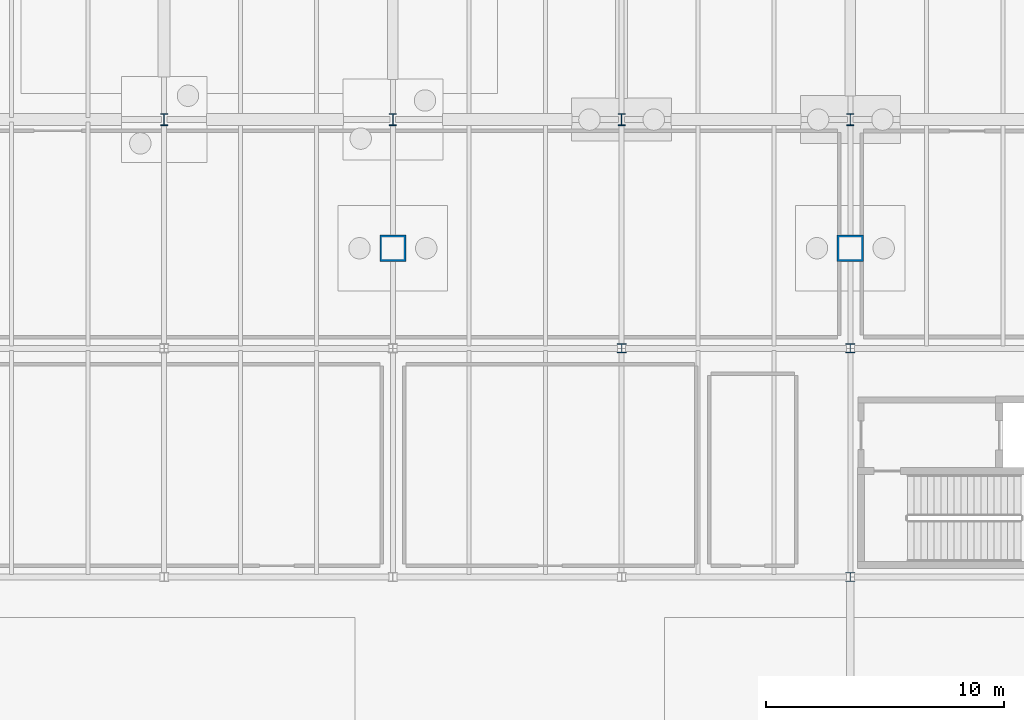
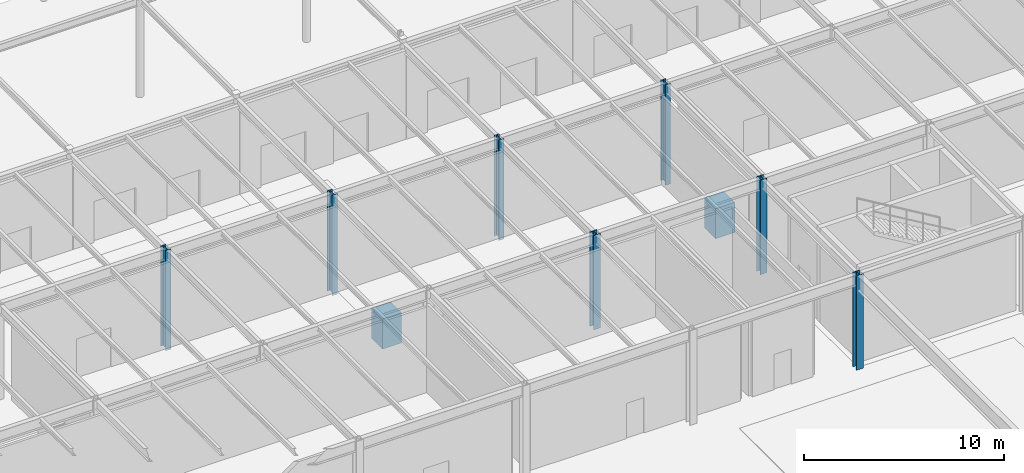
# One storey, part 18 of 142: 9 columns.
"""IFC4 building model written with IfcOpenShell, lengths in metres."""

from ifc_helpers import new_model, si_unit, direction, frame, origin, origin_2d, place, context, subcontext, project, spatial, rectangle, i_section, extrude, material, material_profile, profile_set, type_object, element, save


model = new_model("IFC4")

# Units and contexts
model_context = context("Model", 3, precision=1e-05, world=origin(), true_north=direction((0.0, 1.0)))
body_context = subcontext(model_context, "Body", "Model", "MODEL_VIEW")
ifc_project = project(units=[si_unit("LENGTHUNIT", "METRE"), si_unit("AREAUNIT", "SQUARE_METRE"), si_unit("VOLUMEUNIT", "CUBIC_METRE"), si_unit("PLANEANGLEUNIT", "RADIAN"), si_unit("MASSUNIT", "GRAM", prefix="KILO")], contexts=[model_context])

# Site, building, storey
site_placement = place(None, origin())
site = spatial("IfcSite", under=ifc_project, at=site_placement, CompositionType="ELEMENT")
building_placement = place(site_placement, origin())
building = spatial("IfcBuilding", under=site, at=building_placement, Name="Coralgate Yard Interchange", CompositionType="ELEMENT")
storey_placement = place(building_placement, origin())
storey = spatial("IfcBuildingStorey", under=building, at=storey_placement, Name="L00", CompositionType="ELEMENT", Elevation=0.0)

# Columns
ifc_material_1 = material(Name="Concrete C40/50", Category="concrete")
ifc_material_profile_1 = material_profile(ifc_material_1, rectangle(XDim=1.10009765625, YDim=1.10009765625, at=origin_2d()), Name="RC 1100x1100")
ifc_profile_set_1 = profile_set([ifc_material_profile_1], Name="Concrete C40/50")
column_type_1 = type_object("IfcColumnType", Name="COL-CC-1", PredefinedType="COLUMN", material=ifc_profile_set_1)
for number, where, z_axis, x_axis, name in (
    (1, (105.60009765625, 81.0, -0.02001953125), (0.0, 0.0, 1.0), (1.0, 0.0, 0.0), "Arch AR-4 N concrete thrust pedestal"),
    (2, (124.800048828125, 81.0, -0.02001953125), (0.0, 0.0, 1.0), (1.0, 0.0, 0.0), "Arch AR-5 N concrete thrust pedestal"),
):
    element("IfcColumn", number, at=place(storey_placement, frame(where, z_axis=z_axis, x_axis=x_axis)), inside=storey, type_object=column_type_1, Name=name, PredefinedType="COLUMN", context=body_context, shape_type="SweptSolid", body=[
        extrude(rectangle(XDim=1.10009765625, YDim=1.10009765625, at=origin_2d()), origin(), (0.0, 0.0, 1.0), 1.840087890625),
    ])
ifc_material_2 = material(Name="Structural steel S355J2", Category="steel")
ifc_material_profile_2 = material_profile(ifc_material_2, i_section(OverallWidth=0.39892578125, OverallDepth=0.3935546875, WebThickness=0.022705078125, FlangeThickness=0.03662109375, FilletRadius=0.01513671875, at=origin_2d()), Name="UC 356x406x287")
ifc_profile_set_2 = profile_set([ifc_material_profile_2], Name="Structural steel S355J2")
column_type_2 = type_object("IfcColumnType", Name="COL-SC-1", PredefinedType="COLUMN", material=ifc_profile_set_2)
for number, where, z_axis, x_axis, name in (
    (3, (115.199951171875, 76.800048828125, 0.0), (0.0, 0.0, 1.0), (1.0, 0.0, 0.0), "L00 structural column 12-8"),
    (4, (124.800048828125, 67.199951171875, 0.0), (0.0, 0.0, 1.0), (1.0, 0.0, 0.0), "L00 structural column 13-7"),
    (5, (124.800048828125, 76.800048828125, 0.0), (0.0, 0.0, 1.0), (1.0, 0.0, 0.0), "L00 structural column 13-8"),
):
    element("IfcColumn", number, at=place(storey_placement, frame(where, z_axis=z_axis, x_axis=x_axis)), inside=storey, type_object=column_type_2, Name=name, PredefinedType="COLUMN", context=body_context, shape_type="SweptSolid", body=[
        extrude(i_section(OverallWidth=0.39892578125, OverallDepth=0.3935546875, WebThickness=0.022705078125, FlangeThickness=0.03662109375, FilletRadius=0.01513671875, at=origin_2d()), origin(), (0.0, 0.0, 1.0), 5.75),
    ])
ifc_material_profile_3 = material_profile(ifc_material_2, i_section(OverallWidth=0.300048828125, OverallDepth=0.5, WebThickness=0.014404296875, FlangeThickness=0.028076171875, FilletRadius=0.027099609375, at=origin_2d()), Name="HEB 500")
ifc_profile_set_3 = profile_set([ifc_material_profile_3], Name="Structural steel S355J2")
column_type_3 = type_object("IfcColumnType", Name="COL-SC-10", PredefinedType="COLUMN", material=ifc_profile_set_3)
for number, where, z_axis, x_axis, name in (
    (6, (96.0, 86.39990234375, -0.360107421875), (0.0, 0.0, 1.0), (1.0, 0.0, 0.0), "L00 structural column 10-9"),
    (7, (105.60009765625, 86.39990234375, -0.360107421875), (0.0, 0.0, 1.0), (1.0, 0.0, 0.0), "L00 structural column 11-9"),
    (8, (115.199951171875, 86.39990234375, -0.360107421875), (0.0, 0.0, 1.0), (1.0, 0.0, 0.0), "L00 structural column 12-9"),
    (9, (124.800048828125, 86.39990234375, -0.360107421875), (0.0, 0.0, 1.0), (1.0, 0.0, 0.0), "L00 structural column 13-9"),
):
    element("IfcColumn", number, at=place(storey_placement, frame(where, z_axis=z_axis, x_axis=x_axis)), inside=storey, type_object=column_type_3, Name=name, PredefinedType="COLUMN", context=body_context, shape_type="SweptSolid", body=[
        extrude(i_section(OverallWidth=0.300048828125, OverallDepth=0.5, WebThickness=0.014404296875, FlangeThickness=0.028076171875, FilletRadius=0.027099609375, at=origin_2d()), origin(), (0.0, 0.0, 1.0), 6.110107421875),
    ])

save(model, "model.ifc")
